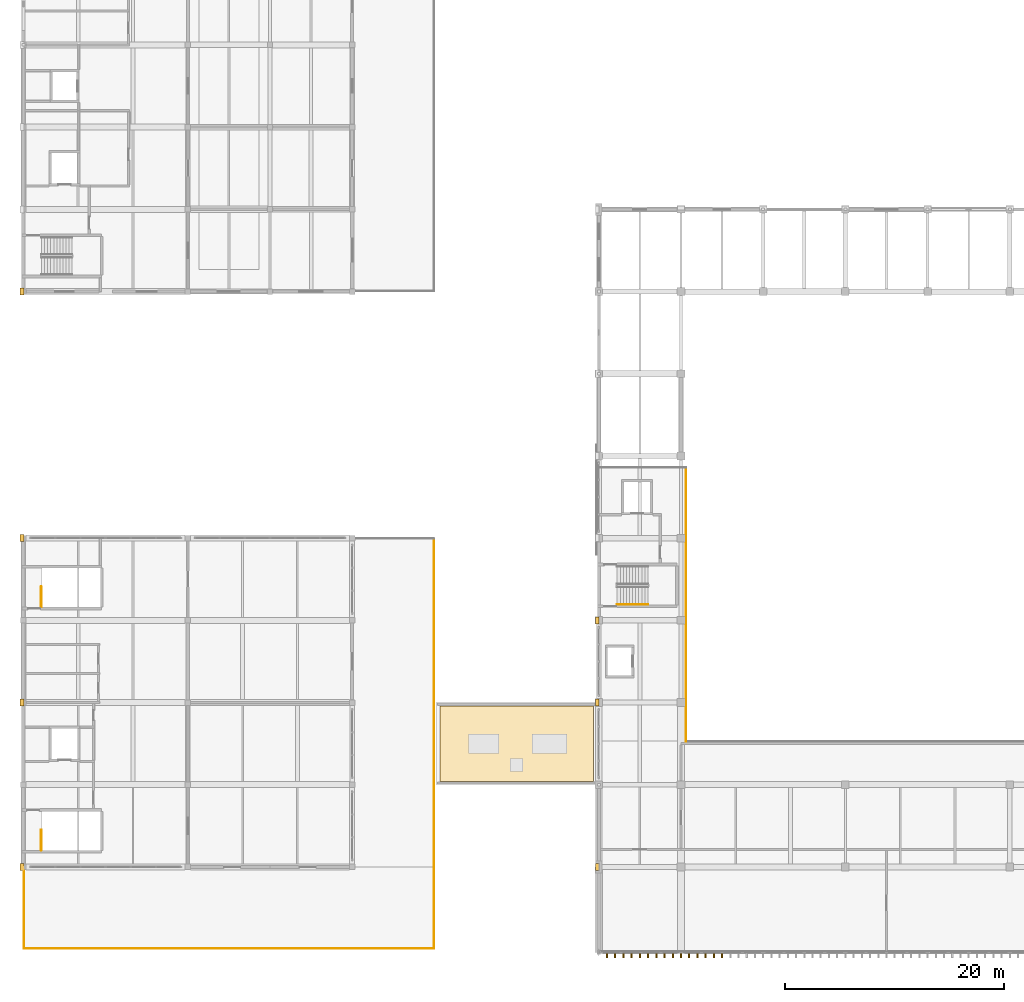
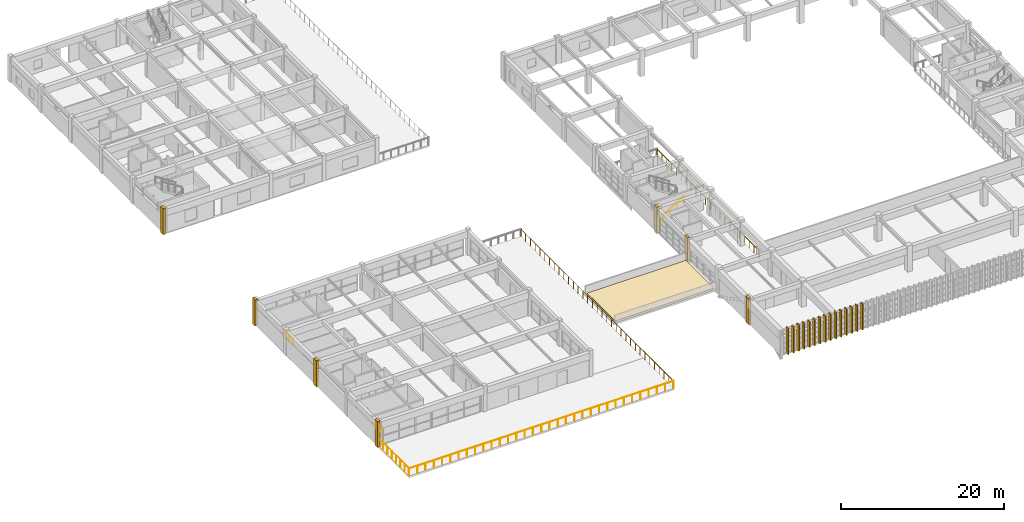
# One storey, part 73 of 82: 23 coverings, 7 railings.
"""IFC4 building model written with IfcOpenShell, lengths in metres."""

from ifc_helpers import new_model, si_unit, direction, frame, origin, origin_2d, place, context, subcontext, project, spatial, polyline, rectangle, circle, outline, extrude, material, layer, layer_set, type_object, element, save


model = new_model("IFC4")

# Units and contexts
model_context = context("Model", 3, precision=1e-05, world=origin(), true_north=direction((0.0, 1.0)))
body_context = subcontext(model_context, "Body", "Model", "MODEL_VIEW")
ifc_project = project(units=[si_unit("LENGTHUNIT", "METRE"), si_unit("AREAUNIT", "SQUARE_METRE"), si_unit("VOLUMEUNIT", "CUBIC_METRE"), si_unit("PLANEANGLEUNIT", "RADIAN"), si_unit("MASSUNIT", "GRAM", prefix="KILO")], contexts=[model_context])

# Site, building, storey
site_placement = place(None, origin())
site = spatial("IfcSite", under=ifc_project, at=site_placement, CompositionType="ELEMENT")
building_placement = place(site_placement, origin())
building = spatial("IfcBuilding", under=site, at=building_placement, Name="Qasida Concert Hall", CompositionType="ELEMENT")
storey_placement = place(building_placement, frame((0.0, 0.0, 17.10009765625)))
storey = spatial("IfcBuildingStorey", under=building, at=storey_placement, Name="L04", CompositionType="ELEMENT", Elevation=17.10009765625)

# Coverings
ifc_material_1 = material(Name="Fluted ochre Lebanese limestone and patinated bronze fin", Category="masonry")
ifc_layer_1 = layer(ifc_material_1, 0.52001953125, Name="Fluted ochre Lebanese limestone and patinated bronze fin")
ifc_layer_set_1 = layer_set([ifc_layer_1], Name="Fluted ochre Lebanese limestone and patinated bronze fin")
covering_type_1 = type_object("IfcCoveringType", Name="CV-FIN-520", PredefinedType="CLADDING", material=ifc_layer_set_1)
for number, where, z_axis, x_axis, name in (
    (1, (53.25, 14.4599609375, 0.0), (0.0, 0.0, 1.0), (1.0, 0.0, 0.0), "L04 fluted facade fin FN-001"),
    (2, (54.0, 14.4599609375, 0.0), (0.0, 0.0, 1.0), (1.0, 0.0, 0.0), "L04 fluted facade fin FN-002"),
    (3, (54.75, 14.4599609375, 0.0), (0.0, 0.0, 1.0), (1.0, 0.0, 0.0), "L04 fluted facade fin FN-003"),
    (4, (55.5, 14.4599609375, 0.0), (0.0, 0.0, 1.0), (1.0, 0.0, 0.0), "L04 fluted facade fin FN-004"),
    (5, (56.25, 14.4599609375, 0.0), (0.0, 0.0, 1.0), (1.0, 0.0, 0.0), "L04 fluted facade fin FN-005"),
    (6, (57.0, 14.4599609375, 0.0), (0.0, 0.0, 1.0), (1.0, 0.0, 0.0), "L04 fluted facade fin FN-006"),
    (7, (57.75, 14.4599609375, 0.0), (0.0, 0.0, 1.0), (1.0, 0.0, 0.0), "L04 fluted facade fin FN-007"),
    (8, (58.5, 14.4599609375, 0.0), (0.0, 0.0, 1.0), (1.0, 0.0, 0.0), "L04 fluted facade fin FN-008"),
    (9, (59.25, 14.4599609375, 0.0), (0.0, 0.0, 1.0), (1.0, 0.0, 0.0), "L04 fluted facade fin FN-009"),
    (10, (60.0, 14.4599609375, 0.0), (0.0, 0.0, 1.0), (1.0, 0.0, 0.0), "L04 fluted facade fin FN-010"),
    (11, (60.75, 14.4599609375, 0.0), (0.0, 0.0, 1.0), (1.0, 0.0, 0.0), "L04 fluted facade fin FN-011"),
    (12, (61.5, 14.4599609375, 0.0), (0.0, 0.0, 1.0), (1.0, 0.0, 0.0), "L04 fluted facade fin FN-012"),
    (13, (62.25, 14.4599609375, 0.0), (0.0, 0.0, 1.0), (1.0, 0.0, 0.0), "L04 fluted facade fin FN-013"),
    (14, (63.0, 14.4599609375, 0.0), (0.0, 0.0, 1.0), (1.0, 0.0, 0.0), "L04 fluted facade fin FN-014"),
    (15, (63.75, 14.4599609375, 0.0), (0.0, 0.0, 1.0), (1.0, 0.0, 0.0), "L04 fluted facade fin FN-015"),
):
    element("IfcCovering", number, at=place(storey_placement, frame(where, z_axis=z_axis, x_axis=x_axis)), inside=storey, type_object=covering_type_1, Name=name, PredefinedType="CLADDING", context=body_context, shape_type="SweptSolid", body=[
        extrude(rectangle(XDim=0.139892578125, YDim=0.52001953125, at=origin_2d()), origin(), (0.0, 0.0, 1.0), 3.89990234375),
    ])
ifc_material_2 = material(Name="Projecting fluted Lebanese limestone Art Deco pilaster", Category="masonry")
ifc_layer_2 = layer(ifc_material_2, 0.35009765625, Name="Projecting fluted Lebanese limestone Art Deco pilaster")
ifc_layer_set_2 = layer_set([ifc_layer_2], Name="Projecting fluted Lebanese limestone Art Deco pilaster")
covering_type_2 = type_object("IfcCoveringType", Name="CV-PIL-650", PredefinedType="CLADDING", material=ifc_layer_set_2)
for number, where, z_axis, x_axis, name in (
    (16, (52.364990234375, 22.5, 0.0), (0.0, 0.0, 1.0), (1.0, 0.0, 0.0), "L04 fluted limestone pilaster 0005"),
    (17, (52.364990234375, 37.5, 0.0), (0.0, 0.0, 1.0), (1.0, 0.0, 0.0), "L04 fluted limestone pilaster 0019"),
    (18, (52.364990234375, 45.0, 0.0), (0.0, 0.0, 1.0), (1.0, 0.0, 0.0), "L04 fluted limestone pilaster 0033"),
    (19, (-0.135009765625, 22.5, 0.0), (0.0, 0.0, 1.0), (1.0, 0.0, 0.0), "L04 fluted limestone pilaster 0177"),
    (20, (-0.135009765625, 37.5, 0.0), (0.0, 0.0, 1.0), (1.0, 0.0, 0.0), "L04 fluted limestone pilaster 0183"),
    (21, (-0.135009765625, 52.5, 0.0), (0.0, 0.0, 1.0), (1.0, 0.0, 0.0), "L04 fluted limestone pilaster 0189"),
    (22, (-0.135009765625, 75.0, 0.0), (0.0, 0.0, 1.0), (1.0, 0.0, 0.0), "L04 fluted limestone pilaster 0269"),
):
    element("IfcCovering", number, at=place(storey_placement, frame(where, z_axis=z_axis, x_axis=x_axis)), inside=storey, type_object=covering_type_2, Name=name, PredefinedType="CLADDING", context=body_context, shape_type="SweptSolid", body=[
        extrude(rectangle(XDim=0.35009765625, YDim=0.64990234375, at=origin_2d()), origin(), (0.0, 0.0, 1.0), 3.89990234375),
    ])
ifc_material_3 = material(Name="Standing-seam patinated zinc-bronze acoustic roofing", Category="aluminium")
ifc_layer_3 = layer(ifc_material_3, 0.06005859375, Name="Standing-seam patinated zinc-bronze acoustic roofing")
ifc_layer_set_3 = layer_set([ifc_layer_3], Name="Standing-seam patinated zinc-bronze acoustic roofing")
covering_type_3 = type_object("IfcCoveringType", Name="CV-RF-1", PredefinedType="ROOFING", material=ifc_layer_set_3)
covering_placement = place(storey_placement, frame((0.0, 0.0, 0.5498046875)))
element("IfcCovering", 23, at=covering_placement, inside=storey, type_object=covering_type_3, Name="L04 acoustic standing-seam roofing 02", PredefinedType="ROOFING", context=body_context, shape_type="SweptSolid", body=[
    extrude(outline(polyline([(38.0, 30.300048828125), (52.0, 30.300048828125), (52.0, 37.199951171875), (38.0, 37.199951171875), (38.0, 30.300048828125)])), origin(), (0.0, 0.0, 1.0), 0.06005859375),
])

# Railings
ifc_material_4 = material(Name="Carved Lebanese limestone and bronze top rail", Category="masonry")
ifc_layer_4 = layer(ifc_material_4, 0.10009765625, Name="Carved Lebanese limestone and bronze top rail")
ifc_layer_set_4 = layer_set([ifc_layer_4], Name="Carved Lebanese limestone and bronze top rail")
railing_type_1 = type_object("IfcRailingType", Name="RL-BAL-1100", PredefinedType="BALUSTRADE", material=ifc_layer_set_4)
railing_1_placement = place(storey_placement, frame((0.050048828125, 22.449951171875, 0.0)))
element("IfcRailing", 24, at=railing_1_placement, inside=storey, type_object=railing_type_1, Name="L04 Middle terrace balustrade 0004", PredefinedType="BALUSTRADE", context=body_context, shape_type="SweptSolid", body=[
    extrude(circle(Radius=0.02392578125, at=origin_2d()), frame((0.0, 0.0, 1.09619140625), z_axis=(0.0, -1.0, 0.0), x_axis=(1.0, 0.0, 0.0)), (0.0, 0.0, 1.0), 7.39990234375),
    extrude(circle(Radius=0.02099609375, at=origin_2d()), origin(), (0.0, 0.0, 1.0), 1.072021484375),
    extrude(circle(Radius=0.02099609375, at=origin_2d()), frame((0.0, -1.05712890625, 0.0)), (0.0, 0.0, 1.0), 1.072021484375),
    extrude(circle(Radius=0.02099609375, at=origin_2d()), frame((0.0, -2.1142578125, 0.0)), (0.0, 0.0, 1.0), 1.072021484375),
    extrude(circle(Radius=0.02099609375, at=origin_2d()), frame((0.0, -3.17138671875, 0.0)), (0.0, 0.0, 1.0), 1.072021484375),
    extrude(circle(Radius=0.02099609375, at=origin_2d()), frame((0.0, -4.228515625, 0.0)), (0.0, 0.0, 1.0), 1.072021484375),
    extrude(circle(Radius=0.02099609375, at=origin_2d()), frame((0.0, -5.28564453125, 0.0)), (0.0, 0.0, 1.0), 1.072021484375),
    extrude(circle(Radius=0.02099609375, at=origin_2d()), frame((0.0, -6.3427734375, 0.0)), (0.0, 0.0, 1.0), 1.072021484375),
    extrude(circle(Radius=0.02099609375, at=origin_2d()), frame((0.0, -7.39990234375, 0.0)), (0.0, 0.0, 1.0), 1.072021484375),
])
railing_2_placement = place(storey_placement, frame((0.050048828125, 15.050048828125, 0.0)))
element("IfcRailing", 25, at=railing_2_placement, inside=storey, type_object=railing_type_1, Name="L04 Middle terrace balustrade 0005", PredefinedType="BALUSTRADE", context=body_context, shape_type="SweptSolid", body=[
    extrude(circle(Radius=0.02392578125, at=origin_2d()), frame((0.0, 0.0, 1.09619140625), z_axis=(1.0, 0.0, 0.0), x_axis=(0.0, 1.0, 0.0)), (0.0, 0.0, 1.0), 37.39990234375),
    extrude(circle(Radius=0.02099609375, at=origin_2d()), origin(), (0.0, 0.0, 1.0), 1.072021484375),
    extrude(circle(Radius=0.02099609375, at=origin_2d()), frame((1.168701171875, 0.0, 0.0)), (0.0, 0.0, 1.0), 1.072021484375),
    extrude(circle(Radius=0.02099609375, at=origin_2d()), frame((2.33740234375, 0.0, 0.0)), (0.0, 0.0, 1.0), 1.072021484375),
    extrude(circle(Radius=0.02099609375, at=origin_2d()), frame((3.50634765625, 0.0, 0.0)), (0.0, 0.0, 1.0), 1.072021484375),
    extrude(circle(Radius=0.02099609375, at=origin_2d()), frame((4.675048828125, 0.0, 0.0)), (0.0, 0.0, 1.0), 1.072021484375),
    extrude(circle(Radius=0.02099609375, at=origin_2d()), frame((5.84375, 0.0, 0.0)), (0.0, 0.0, 1.0), 1.072021484375),
    extrude(circle(Radius=0.02099609375, at=origin_2d()), frame((7.012451171875, 0.0, 0.0)), (0.0, 0.0, 1.0), 1.072021484375),
    extrude(circle(Radius=0.02099609375, at=origin_2d()), frame((8.18115234375, 0.0, 0.0)), (0.0, 0.0, 1.0), 1.072021484375),
    extrude(circle(Radius=0.02099609375, at=origin_2d()), frame((9.35009765625, 0.0, 0.0)), (0.0, 0.0, 1.0), 1.072021484375),
    extrude(circle(Radius=0.02099609375, at=origin_2d()), frame((10.518798828125, 0.0, 0.0)), (0.0, 0.0, 1.0), 1.072021484375),
    extrude(circle(Radius=0.02099609375, at=origin_2d()), frame((11.6875, 0.0, 0.0)), (0.0, 0.0, 1.0), 1.072021484375),
    extrude(circle(Radius=0.02099609375, at=origin_2d()), frame((12.856201171875, 0.0, 0.0)), (0.0, 0.0, 1.0), 1.072021484375),
    extrude(circle(Radius=0.02099609375, at=origin_2d()), frame((14.02490234375, 0.0, 0.0)), (0.0, 0.0, 1.0), 1.072021484375),
    extrude(circle(Radius=0.02099609375, at=origin_2d()), frame((15.193603515625, 0.0, 0.0)), (0.0, 0.0, 1.0), 1.072021484375),
    extrude(circle(Radius=0.02099609375, at=origin_2d()), frame((16.362548828125, 0.0, 0.0)), (0.0, 0.0, 1.0), 1.072021484375),
    extrude(circle(Radius=0.02099609375, at=origin_2d()), frame((17.53125, 0.0, 0.0)), (0.0, 0.0, 1.0), 1.072021484375),
    extrude(circle(Radius=0.02099609375, at=origin_2d()), frame((18.699951171875, 0.0, 0.0)), (0.0, 0.0, 1.0), 1.072021484375),
    extrude(circle(Radius=0.02099609375, at=origin_2d()), frame((19.86865234375, 0.0, 0.0)), (0.0, 0.0, 1.0), 1.072021484375),
    extrude(circle(Radius=0.02099609375, at=origin_2d()), frame((21.037353515625, 0.0, 0.0)), (0.0, 0.0, 1.0), 1.072021484375),
    extrude(circle(Radius=0.02099609375, at=origin_2d()), frame((22.206298828125, 0.0, 0.0)), (0.0, 0.0, 1.0), 1.072021484375),
    extrude(circle(Radius=0.02099609375, at=origin_2d()), frame((23.375, 0.0, 0.0)), (0.0, 0.0, 1.0), 1.072021484375),
    extrude(circle(Radius=0.02099609375, at=origin_2d()), frame((24.543701171875, 0.0, 0.0)), (0.0, 0.0, 1.0), 1.072021484375),
    extrude(circle(Radius=0.02099609375, at=origin_2d()), frame((25.71240234375, 0.0, 0.0)), (0.0, 0.0, 1.0), 1.072021484375),
    extrude(circle(Radius=0.02099609375, at=origin_2d()), frame((26.881103515625, 0.0, 0.0)), (0.0, 0.0, 1.0), 1.072021484375),
    extrude(circle(Radius=0.02099609375, at=origin_2d()), frame((28.0498046875, 0.0, 0.0)), (0.0, 0.0, 1.0), 1.072021484375),
    extrude(circle(Radius=0.02099609375, at=origin_2d()), frame((29.21875, 0.0, 0.0)), (0.0, 0.0, 1.0), 1.072021484375),
    extrude(circle(Radius=0.02099609375, at=origin_2d()), frame((30.387451171875, 0.0, 0.0)), (0.0, 0.0, 1.0), 1.072021484375),
    extrude(circle(Radius=0.02099609375, at=origin_2d()), frame((31.55615234375, 0.0, 0.0)), (0.0, 0.0, 1.0), 1.072021484375),
    extrude(circle(Radius=0.02099609375, at=origin_2d()), frame((32.724853515625, 0.0, 0.0)), (0.0, 0.0, 1.0), 1.072021484375),
    extrude(circle(Radius=0.02099609375, at=origin_2d()), frame((33.8935546875, 0.0, 0.0)), (0.0, 0.0, 1.0), 1.072021484375),
    extrude(circle(Radius=0.02099609375, at=origin_2d()), frame((35.0625, 0.0, 0.0)), (0.0, 0.0, 1.0), 1.072021484375),
    extrude(circle(Radius=0.02099609375, at=origin_2d()), frame((36.231201171875, 0.0, 0.0)), (0.0, 0.0, 1.0), 1.072021484375),
    extrude(circle(Radius=0.02099609375, at=origin_2d()), frame((37.39990234375, 0.0, 0.0)), (0.0, 0.0, 1.0), 1.072021484375),
])
railing_3_placement = place(storey_placement, frame((37.449951171875, 15.050048828125, 0.0)))
element("IfcRailing", 26, at=railing_3_placement, inside=storey, type_object=railing_type_1, Name="L04 Middle terrace balustrade 0006", PredefinedType="BALUSTRADE", context=body_context, shape_type="SweptSolid", body=[
    extrude(circle(Radius=0.02392578125, at=origin_2d()), frame((0.0, 0.0, 1.09619140625), z_axis=(0.0, 1.0, 0.0), x_axis=(-1.0, 0.0, 0.0)), (0.0, 0.0, 1.0), 37.39990234375),
    extrude(circle(Radius=0.02099609375, at=origin_2d()), origin(), (0.0, 0.0, 1.0), 1.072021484375),
    extrude(circle(Radius=0.02099609375, at=origin_2d()), frame((0.0, 1.168701171875, 0.0)), (0.0, 0.0, 1.0), 1.072021484375),
    extrude(circle(Radius=0.02099609375, at=origin_2d()), frame((0.0, 2.33740234375, 0.0)), (0.0, 0.0, 1.0), 1.072021484375),
    extrude(circle(Radius=0.02099609375, at=origin_2d()), frame((0.0, 3.50634765625, 0.0)), (0.0, 0.0, 1.0), 1.072021484375),
    extrude(circle(Radius=0.02099609375, at=origin_2d()), frame((0.0, 4.675048828125, 0.0)), (0.0, 0.0, 1.0), 1.072021484375),
    extrude(circle(Radius=0.02099609375, at=origin_2d()), frame((0.0, 5.84375, 0.0)), (0.0, 0.0, 1.0), 1.072021484375),
    extrude(circle(Radius=0.02099609375, at=origin_2d()), frame((0.0, 7.012451171875, 0.0)), (0.0, 0.0, 1.0), 1.072021484375),
    extrude(circle(Radius=0.02099609375, at=origin_2d()), frame((0.0, 8.18115234375, 0.0)), (0.0, 0.0, 1.0), 1.072021484375),
    extrude(circle(Radius=0.02099609375, at=origin_2d()), frame((0.0, 9.35009765625, 0.0)), (0.0, 0.0, 1.0), 1.072021484375),
    extrude(circle(Radius=0.02099609375, at=origin_2d()), frame((0.0, 10.518798828125, 0.0)), (0.0, 0.0, 1.0), 1.072021484375),
    extrude(circle(Radius=0.02099609375, at=origin_2d()), frame((0.0, 11.6875, 0.0)), (0.0, 0.0, 1.0), 1.072021484375),
    extrude(circle(Radius=0.02099609375, at=origin_2d()), frame((0.0, 12.856201171875, 0.0)), (0.0, 0.0, 1.0), 1.072021484375),
    extrude(circle(Radius=0.02099609375, at=origin_2d()), frame((0.0, 14.02490234375, 0.0)), (0.0, 0.0, 1.0), 1.072021484375),
    extrude(circle(Radius=0.02099609375, at=origin_2d()), frame((0.0, 15.193603515625, 0.0)), (0.0, 0.0, 1.0), 1.072021484375),
    extrude(circle(Radius=0.02099609375, at=origin_2d()), frame((0.0, 16.362548828125, 0.0)), (0.0, 0.0, 1.0), 1.072021484375),
    extrude(circle(Radius=0.02099609375, at=origin_2d()), frame((0.0, 17.53125, 0.0)), (0.0, 0.0, 1.0), 1.072021484375),
    extrude(circle(Radius=0.02099609375, at=origin_2d()), frame((0.0, 18.699951171875, 0.0)), (0.0, 0.0, 1.0), 1.072021484375),
    extrude(circle(Radius=0.02099609375, at=origin_2d()), frame((0.0, 19.86865234375, 0.0)), (0.0, 0.0, 1.0), 1.072021484375),
    extrude(circle(Radius=0.02099609375, at=origin_2d()), frame((0.0, 21.037353515625, 0.0)), (0.0, 0.0, 1.0), 1.072021484375),
    extrude(circle(Radius=0.02099609375, at=origin_2d()), frame((0.0, 22.206298828125, 0.0)), (0.0, 0.0, 1.0), 1.072021484375),
    extrude(circle(Radius=0.02099609375, at=origin_2d()), frame((0.0, 23.375, 0.0)), (0.0, 0.0, 1.0), 1.072021484375),
    extrude(circle(Radius=0.02099609375, at=origin_2d()), frame((0.0, 24.543701171875, 0.0)), (0.0, 0.0, 1.0), 1.072021484375),
    extrude(circle(Radius=0.02099609375, at=origin_2d()), frame((0.0, 25.71240234375, 0.0)), (0.0, 0.0, 1.0), 1.072021484375),
    extrude(circle(Radius=0.02099609375, at=origin_2d()), frame((0.0, 26.881103515625, 0.0)), (0.0, 0.0, 1.0), 1.072021484375),
    extrude(circle(Radius=0.02099609375, at=origin_2d()), frame((0.0, 28.0498046875, 0.0)), (0.0, 0.0, 1.0), 1.072021484375),
    extrude(circle(Radius=0.02099609375, at=origin_2d()), frame((0.0, 29.21875, 0.0)), (0.0, 0.0, 1.0), 1.072021484375),
    extrude(circle(Radius=0.02099609375, at=origin_2d()), frame((0.0, 30.387451171875, 0.0)), (0.0, 0.0, 1.0), 1.072021484375),
    extrude(circle(Radius=0.02099609375, at=origin_2d()), frame((0.0, 31.55615234375, 0.0)), (0.0, 0.0, 1.0), 1.072021484375),
    extrude(circle(Radius=0.02099609375, at=origin_2d()), frame((0.0, 32.724853515625, 0.0)), (0.0, 0.0, 1.0), 1.072021484375),
    extrude(circle(Radius=0.02099609375, at=origin_2d()), frame((0.0, 33.8935546875, 0.0)), (0.0, 0.0, 1.0), 1.072021484375),
    extrude(circle(Radius=0.02099609375, at=origin_2d()), frame((0.0, 35.0625, 0.0)), (0.0, 0.0, 1.0), 1.072021484375),
    extrude(circle(Radius=0.02099609375, at=origin_2d()), frame((0.0, 36.231201171875, 0.0)), (0.0, 0.0, 1.0), 1.072021484375),
    extrude(circle(Radius=0.02099609375, at=origin_2d()), frame((0.0, 37.39990234375, 0.0)), (0.0, 0.0, 1.0), 1.072021484375),
])
ifc_material_5 = material(Name="Patinated architectural bronze and laminated glass infill", Category="glass")
ifc_layer_5 = layer(ifc_material_5, 0.080078125, Name="Patinated architectural bronze and laminated glass infill")
ifc_layer_set_5 = layer_set([ifc_layer_5], Name="Patinated architectural bronze and laminated glass infill")
railing_type_2 = type_object("IfcRailingType", Name="RL-GRD-1100", PredefinedType="GUARDRAIL", material=ifc_layer_set_5)
railing_4_placement = place(storey_placement, frame((60.4599609375, 58.949951171875, 0.0)))
element("IfcRailing", 27, at=railing_4_placement, inside=storey, type_object=railing_type_2, Name="L04 Symphony upper gallery guardrail 0114", PredefinedType="GUARDRAIL", context=body_context, shape_type="SweptSolid", body=[
    extrude(circle(Radius=0.02392578125, at=origin_2d()), frame((0.0, 0.0, 1.09619140625), z_axis=(0.0, -1.0, 0.0), x_axis=(1.0, 0.0, 0.0)), (0.0, 0.0, 1.0), 24.989990234375),
    extrude(circle(Radius=0.02099609375, at=origin_2d()), origin(), (0.0, 0.0, 1.0), 1.072021484375),
    extrude(circle(Radius=0.02099609375, at=origin_2d()), frame((0.0, -1.18994140625, 0.0)), (0.0, 0.0, 1.0), 1.072021484375),
    extrude(circle(Radius=0.02099609375, at=origin_2d()), frame((0.0, -2.3798828125, 0.0)), (0.0, 0.0, 1.0), 1.072021484375),
    extrude(circle(Radius=0.02099609375, at=origin_2d()), frame((0.0, -3.570068359375, 0.0)), (0.0, 0.0, 1.0), 1.072021484375),
    extrude(circle(Radius=0.02099609375, at=origin_2d()), frame((0.0, -4.760009765625, 0.0)), (0.0, 0.0, 1.0), 1.072021484375),
    extrude(circle(Radius=0.02099609375, at=origin_2d()), frame((0.0, -5.949951171875, 0.0)), (0.0, 0.0, 1.0), 1.072021484375),
    extrude(circle(Radius=0.02099609375, at=origin_2d()), frame((0.0, -7.139892578125, 0.0)), (0.0, 0.0, 1.0), 1.072021484375),
    extrude(circle(Radius=0.02099609375, at=origin_2d()), frame((0.0, -8.330078125, 0.0)), (0.0, 0.0, 1.0), 1.072021484375),
    extrude(circle(Radius=0.02099609375, at=origin_2d()), frame((0.0, -9.52001953125, 0.0)), (0.0, 0.0, 1.0), 1.072021484375),
    extrude(circle(Radius=0.02099609375, at=origin_2d()), frame((0.0, -10.7099609375, 0.0)), (0.0, 0.0, 1.0), 1.072021484375),
    extrude(circle(Radius=0.02099609375, at=origin_2d()), frame((0.0, -11.89990234375, 0.0)), (0.0, 0.0, 1.0), 1.072021484375),
    extrude(circle(Radius=0.02099609375, at=origin_2d()), frame((0.0, -13.090087890625, 0.0)), (0.0, 0.0, 1.0), 1.072021484375),
    extrude(circle(Radius=0.02099609375, at=origin_2d()), frame((0.0, -14.280029296875, 0.0)), (0.0, 0.0, 1.0), 1.072021484375),
    extrude(circle(Radius=0.02099609375, at=origin_2d()), frame((0.0, -15.469970703125, 0.0)), (0.0, 0.0, 1.0), 1.072021484375),
    extrude(circle(Radius=0.02099609375, at=origin_2d()), frame((0.0, -16.659912109375, 0.0)), (0.0, 0.0, 1.0), 1.072021484375),
    extrude(circle(Radius=0.02099609375, at=origin_2d()), frame((0.0, -17.85009765625, 0.0)), (0.0, 0.0, 1.0), 1.072021484375),
    extrude(circle(Radius=0.02099609375, at=origin_2d()), frame((0.0, -19.0400390625, 0.0)), (0.0, 0.0, 1.0), 1.072021484375),
    extrude(circle(Radius=0.02099609375, at=origin_2d()), frame((0.0, -20.22998046875, 0.0)), (0.0, 0.0, 1.0), 1.072021484375),
    extrude(circle(Radius=0.02099609375, at=origin_2d()), frame((0.0, -21.419921875, 0.0)), (0.0, 0.0, 1.0), 1.072021484375),
    extrude(circle(Radius=0.02099609375, at=origin_2d()), frame((0.0, -22.610107421875, 0.0)), (0.0, 0.0, 1.0), 1.072021484375),
    extrude(circle(Radius=0.02099609375, at=origin_2d()), frame((0.0, -23.800048828125, 0.0)), (0.0, 0.0, 1.0), 1.072021484375),
    extrude(circle(Radius=0.02099609375, at=origin_2d()), frame((0.0, -24.989990234375, 0.0)), (0.0, 0.0, 1.0), 1.072021484375),
])
railing_5_placement = place(storey_placement, frame((1.6298828125, 24.0, 0.0)))
element("IfcRailing", 28, at=railing_5_placement, inside=storey, type_object=railing_type_2, Name="L04 ST-03 top well guard 1", PredefinedType="GUARDRAIL", context=body_context, shape_type="SweptSolid", body=[
    extrude(circle(Radius=0.02392578125, at=origin_2d()), frame((0.0, 0.0, 1.076171875), z_axis=(0.0, 1.0, 0.0), x_axis=(-1.0, 0.0, 0.0)), (0.0, 0.0, 1.0), 1.8798828125),
    extrude(circle(Radius=0.02099609375, at=origin_2d()), origin(), (0.0, 0.0, 1.0), 1.052001953125),
    extrude(circle(Radius=0.02099609375, at=origin_2d()), frame((0.0, 0.93994140625, 0.0)), (0.0, 0.0, 1.0), 1.052001953125),
    extrude(circle(Radius=0.02099609375, at=origin_2d()), frame((0.0, 1.8798828125, 0.0)), (0.0, 0.0, 1.0), 1.052001953125),
])
railing_6_placement = place(storey_placement, frame((1.6298828125, 46.199951171875, 0.0)))
element("IfcRailing", 29, at=railing_6_placement, inside=storey, type_object=railing_type_2, Name="L04 ST-04 top well guard 1", PredefinedType="GUARDRAIL", context=body_context, shape_type="SweptSolid", body=[
    extrude(circle(Radius=0.02392578125, at=origin_2d()), frame((0.0, 0.0, 1.076171875), z_axis=(0.0, 1.0, 0.0), x_axis=(-1.0, 0.0, 0.0)), (0.0, 0.0, 1.0), 1.880126953125),
    extrude(circle(Radius=0.02099609375, at=origin_2d()), origin(), (0.0, 0.0, 1.0), 1.052001953125),
    extrude(circle(Radius=0.02099609375, at=origin_2d()), frame((0.0, 0.93994140625, 0.0)), (0.0, 0.0, 1.0), 1.052001953125),
    extrude(circle(Radius=0.02099609375, at=origin_2d()), frame((0.0, 1.880126953125, 0.0)), (0.0, 0.0, 1.0), 1.052001953125),
])
ifc_material_6 = material(Name="Patinated tubular architectural bronze", Category="steel")
ifc_layer_6 = layer(ifc_material_6, 0.050048828125, Name="Patinated tubular architectural bronze")
ifc_layer_set_6 = layer_set([ifc_layer_6], Name="Patinated tubular architectural bronze")
railing_type_3 = type_object("IfcRailingType", Name="RL-HND-900", PredefinedType="HANDRAIL", material=ifc_layer_set_6)
railing_7_placement = place(storey_placement, frame((54.179931640625, 46.449951171875, 0.17724609375)))
element("IfcRailing", 30, at=railing_7_placement, inside=storey, type_object=railing_type_3, Name="L04 ST-01 stair handrail 1", PredefinedType="HANDRAIL", context=body_context, shape_type="SweptSolid", body=[
    extrude(circle(Radius=0.02392578125, at=origin_2d()), frame((0.0, 0.0, 0.8759765625), z_axis=(0.844908973607, 0.0, 0.534910110503), x_axis=(0.0, 1.0, 0.0)), (0.0, 0.0, 1.0), 3.31396484375),
    extrude(circle(Radius=0.02099609375, at=origin_2d()), origin(), (0.0, 0.0, 1.0), 0.851806640625),
    extrude(circle(Radius=0.02099609375, at=origin_2d()), frame((0.933349609375, 0.0, 0.5908203125)), (0.0, 0.0, 1.0), 0.851806640625),
    extrude(circle(Radius=0.02099609375, at=origin_2d()), frame((1.86669921875, 0.0, 1.181884765625)), (0.0, 0.0, 1.0), 0.851806640625),
    extrude(circle(Radius=0.02099609375, at=origin_2d()), frame((2.800048828125, 0.0, 1.772705078125)), (0.0, 0.0, 1.0), 0.851806640625),
])

save(model, "model.ifc")
